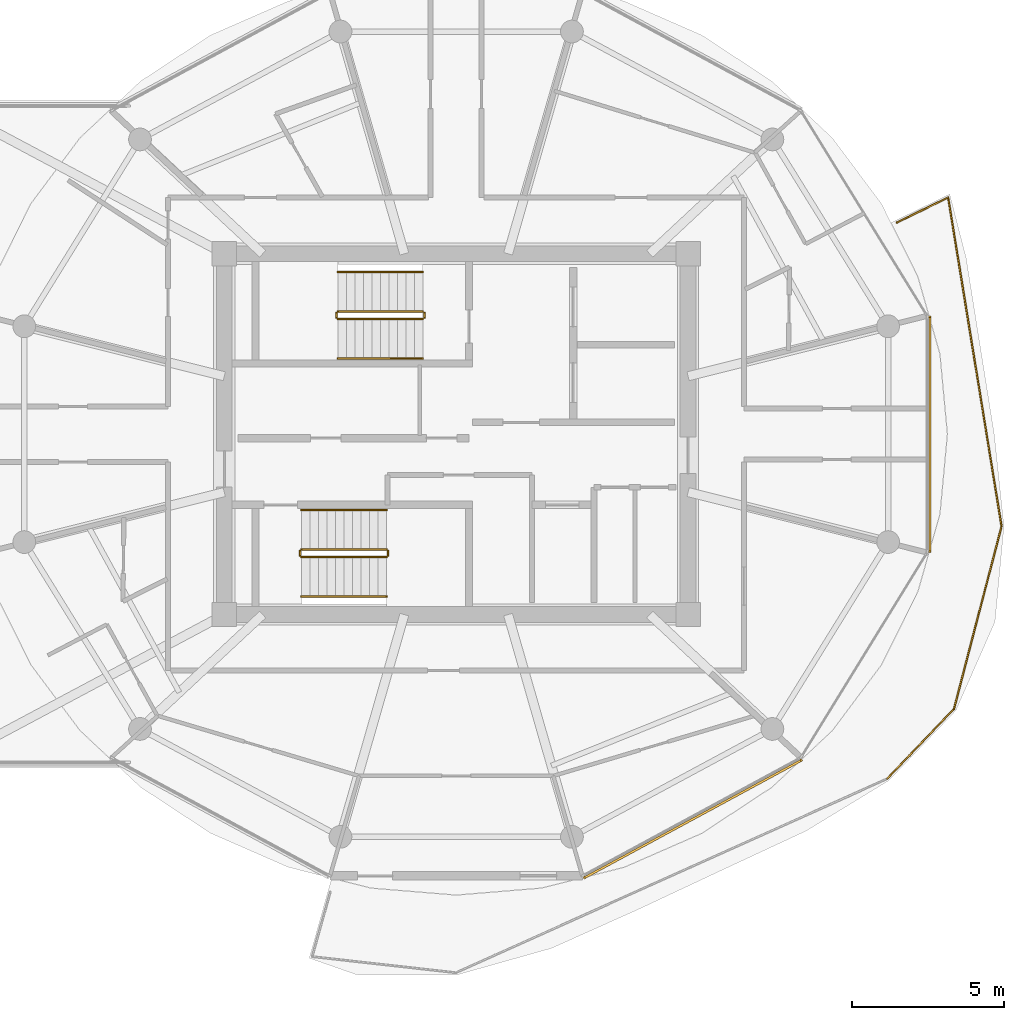
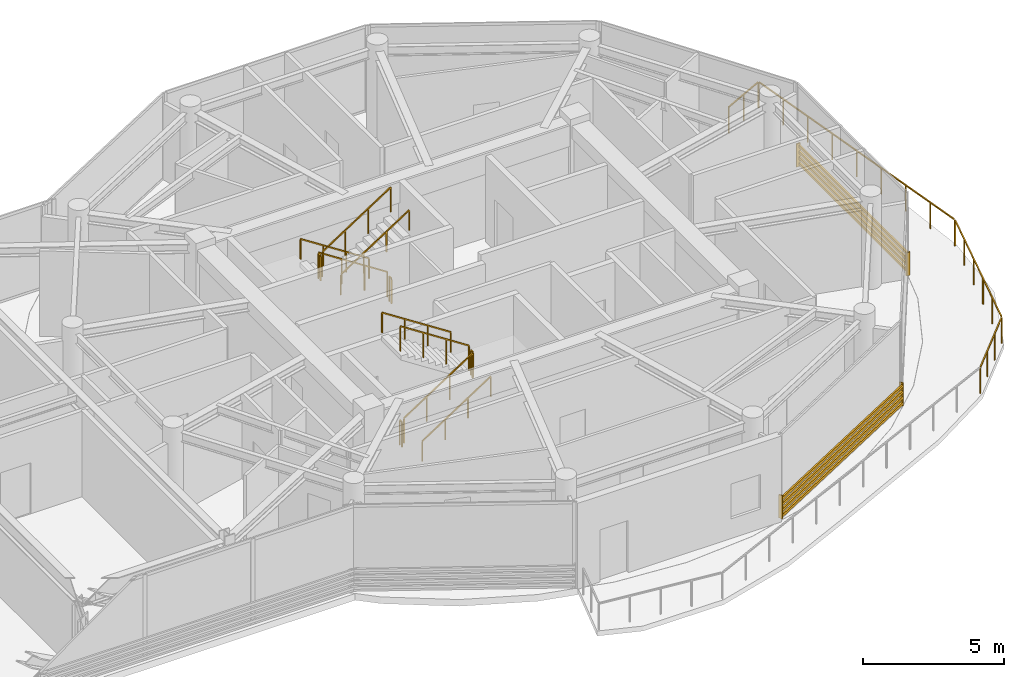
# One storey, part 23 of 24: 13 railings, 2 shading devices.
"""IFC4 building model written with IfcOpenShell, lengths in metres."""

from ifc_helpers import new_model, si_unit, direction, frame, origin, origin_2d, place, context, subcontext, project, spatial, rectangle, extrude, source, transform, mapped, material, type_object, type_shapes, element, save


model = new_model("IFC4")

# Units and contexts
model_context = context("Model", 3, precision=1e-05, world=origin(), true_north=direction((0.0, 1.0)))
body_context = subcontext(model_context, "Body", "Model", "MODEL_VIEW")
ifc_project = project(units=[si_unit("LENGTHUNIT", "METRE"), si_unit("AREAUNIT", "SQUARE_METRE"), si_unit("VOLUMEUNIT", "CUBIC_METRE"), si_unit("PLANEANGLEUNIT", "RADIAN"), si_unit("MASSUNIT", "GRAM", prefix="KILO")], contexts=[model_context])

# Site, building, storey
site_placement = place(None, origin())
site = spatial("IfcSite", under=ifc_project, at=site_placement, CompositionType="ELEMENT")
building_placement = place(site_placement, origin())
building = spatial("IfcBuilding", under=site, at=building_placement, Name="Norrkilde Senior Care Towers", CompositionType="ELEMENT")
storey_placement = place(building_placement, frame((0.0, 0.0, 203.800048828125)))
storey = spatial("IfcBuildingStorey", under=building, at=storey_placement, Name="L63", CompositionType="ELEMENT", Elevation=203.800048828125)

# Railings
ifc_material_1 = material(Name="Anodised Aluminium", Category="aluminium")
railing_type_1 = type_object("IfcRailingType", Name="Balcony Swirl Ribbon Guardrail 1150", PredefinedType="GUARDRAIL", material=ifc_material_1)
railing_1_placement = place(storey_placement, frame((42.53662109375, 6.984130859375, 0.0)))
element("IfcRailing", 1, at=railing_1_placement, inside=storey, type_object=railing_type_1, Name="L63 Perimeter Safety Guard 02", PredefinedType="GUARDRAIL", context=body_context, shape_type="SweptSolid", body=[
    extrude(rectangle(XDim=0.048095703125, YDim=0.048095703125, at=origin_2d()), frame((0.0, 0.0, 1.1259765625), z_axis=(0.899181226061, 0.437576419269, 0.0), x_axis=(-0.437576419269, 0.899181226061, 0.0)), (0.0, 0.0, 1.0), 1.8388671875),
    extrude(rectangle(XDim=0.048095703125, YDim=0.048095703125, at=origin_2d()), frame((1.69677734375, 0.7822265625, 1.1259765625), z_axis=(0.160357909667, -0.98705893482, 0.0), x_axis=(0.98705893482, 0.160357909667, 0.0)), (0.0, 0.0, 1.0), 10.904296875),
    extrude(rectangle(XDim=0.048095703125, YDim=0.048095703125, at=origin_2d()), frame((3.441650390625, -10.06103515625, 1.1259765625), z_axis=(-0.252187374255, -0.967678421929, 0.0), x_axis=(0.967678421929, -0.252187374255, 0.0)), (0.0, 0.0, 1.0), 6.14794921875),
    extrude(rectangle(XDim=0.048095703125, YDim=0.048095703125, at=origin_2d()), frame((1.8525390625, -16.079345703125, 1.1259765625), z_axis=(-0.691534064536, -0.722343849967, 0.0), x_axis=(0.722343849967, -0.691534064536, 0.0)), (0.0, 0.0, 1.0), 3.14453125),
    extrude(rectangle(XDim=0.0419921875, YDim=0.0419921875, at=origin_2d()), origin(), (0.0, 0.0, 1.0), 1.099853515625),
    extrude(rectangle(XDim=0.0419921875, YDim=0.0419921875, at=origin_2d()), frame((0.84521484375, 0.4111328125, 0.0)), (0.0, 0.0, 1.0), 1.099853515625),
    extrude(rectangle(XDim=0.0419921875, YDim=0.0419921875, at=origin_2d()), frame((1.690185546875, 0.822509765625, 0.0)), (0.0, 0.0, 1.0), 1.099853515625),
    extrude(rectangle(XDim=0.0419921875, YDim=0.0419921875, at=origin_2d()), frame((1.910400390625, -0.532958984375, 0.0)), (0.0, 0.0, 1.0), 1.099853515625),
    extrude(rectangle(XDim=0.0419921875, YDim=0.0419921875, at=origin_2d()), frame((2.130615234375, -1.888427734375, 0.0)), (0.0, 0.0, 1.0), 1.099853515625),
    extrude(rectangle(XDim=0.0419921875, YDim=0.0419921875, at=origin_2d()), frame((2.350830078125, -3.243896484375, 0.0)), (0.0, 0.0, 1.0), 1.099853515625),
    extrude(rectangle(XDim=0.0419921875, YDim=0.0419921875, at=origin_2d()), frame((2.571044921875, -4.599609375, 0.0)), (0.0, 0.0, 1.0), 1.099853515625),
    extrude(rectangle(XDim=0.0419921875, YDim=0.0419921875, at=origin_2d()), frame((2.791259765625, -5.955078125, 0.0)), (0.0, 0.0, 1.0), 1.099853515625),
    extrude(rectangle(XDim=0.0419921875, YDim=0.0419921875, at=origin_2d()), frame((3.011474609375, -7.310546875, 0.0)), (0.0, 0.0, 1.0), 1.099853515625),
    extrude(rectangle(XDim=0.0419921875, YDim=0.0419921875, at=origin_2d()), frame((3.231689453125, -8.666015625, 0.0)), (0.0, 0.0, 1.0), 1.099853515625),
    extrude(rectangle(XDim=0.0419921875, YDim=0.0419921875, at=origin_2d()), frame((3.451904296875, -10.021484375, 0.0)), (0.0, 0.0, 1.0), 1.099853515625),
    extrude(rectangle(XDim=0.0419921875, YDim=0.0419921875, at=origin_2d()), frame((3.1376953125, -11.22705078125, 0.0)), (0.0, 0.0, 1.0), 1.099853515625),
    extrude(rectangle(XDim=0.0419921875, YDim=0.0419921875, at=origin_2d()), frame((2.823486328125, -12.432861328125, 0.0)), (0.0, 0.0, 1.0), 1.099853515625),
    extrude(rectangle(XDim=0.0419921875, YDim=0.0419921875, at=origin_2d()), frame((2.50927734375, -13.638427734375, 0.0)), (0.0, 0.0, 1.0), 1.099853515625),
    extrude(rectangle(XDim=0.0419921875, YDim=0.0419921875, at=origin_2d()), frame((2.195068359375, -14.84423828125, 0.0)), (0.0, 0.0, 1.0), 1.099853515625),
    extrude(rectangle(XDim=0.0419921875, YDim=0.0419921875, at=origin_2d()), frame((1.880859375, -16.0498046875, 0.0)), (0.0, 0.0, 1.0), 1.099853515625),
    extrude(rectangle(XDim=0.0419921875, YDim=0.0419921875, at=origin_2d()), frame((1.146484375, -16.81689453125, 0.0)), (0.0, 0.0, 1.0), 1.099853515625),
    extrude(rectangle(XDim=0.0419921875, YDim=0.0419921875, at=origin_2d()), frame((0.412353515625, -17.583740234375, 0.0)), (0.0, 0.0, 1.0), 1.099853515625),
    extrude(rectangle(XDim=0.0419921875, YDim=0.0419921875, at=origin_2d()), frame((-0.322021484375, -18.350830078125, 0.0)), (0.0, 0.0, 1.0), 1.099853515625),
])
ifc_material_2 = material(Name="Stainless Steel", Category="steel")
railing_type_2 = type_object("IfcRailingType", Name="Stair and Terrace Guardrail 1100", PredefinedType="GUARDRAIL", material=ifc_material_2)
railing_2_placement = place(storey_placement, frame((26.89990234375, 4.050048828125, 0.181884765625)))
element("IfcRailing", 2, at=railing_2_placement, inside=storey, type_object=railing_type_2, Name="L63 ST-E1 stair guard 1", PredefinedType="GUARDRAIL", context=body_context, shape_type="SweptSolid", body=[
    extrude(rectangle(XDim=0.048095703125, YDim=0.048095703125, at=origin_2d()), frame((0.0, 0.0, 1.076171875), z_axis=(-0.83868413941, 0.0, 0.544618136222), x_axis=(0.0, -1.0, 0.0)), (0.0, 0.0, 1.0), 3.33837890625),
    extrude(rectangle(XDim=0.0419921875, YDim=0.0419921875, at=origin_2d()), origin(), (0.0, 0.0, 1.0), 1.050048828125),
    extrude(rectangle(XDim=0.0419921875, YDim=0.0419921875, at=origin_2d()), frame((-0.933349609375, 0.0, 0.60595703125)), (0.0, 0.0, 1.0), 1.050048828125),
    extrude(rectangle(XDim=0.0419921875, YDim=0.0419921875, at=origin_2d()), frame((-1.866455078125, 0.0, 1.212158203125)), (0.0, 0.0, 1.0), 1.050048828125),
    extrude(rectangle(XDim=0.0419921875, YDim=0.0419921875, at=origin_2d()), frame((-2.7998046875, 0.0, 1.818115234375)), (0.0, 0.0, 1.0), 1.050048828125),
])
railing_3_placement = place(storey_placement, frame((24.050048828125, 4.0, 2.0)))
element("IfcRailing", 3, at=railing_3_placement, inside=storey, type_object=railing_type_2, Name="L63 ST-E1 stair guard 2", PredefinedType="GUARDRAIL", context=body_context, shape_type="SweptSolid", body=[
    extrude(rectangle(XDim=0.048095703125, YDim=0.048095703125, at=origin_2d()), frame((0.0, 0.0, 1.076171875), z_axis=(0.0, -1.0, 0.0), x_axis=(1.0, 0.0, 0.0)), (0.0, 0.0, 1.0), 0.14990234375),
    extrude(rectangle(XDim=0.0419921875, YDim=0.0419921875, at=origin_2d()), origin(), (0.0, 0.0, 1.0), 1.050048828125),
    extrude(rectangle(XDim=0.0419921875, YDim=0.0419921875, at=origin_2d()), frame((0.0, -0.14990234375, 0.0)), (0.0, 0.0, 1.0), 1.050048828125),
])
railing_4_placement = place(storey_placement, frame((24.10009765625, 3.800048828125, 2.181884765625)))
element("IfcRailing", 4, at=railing_4_placement, inside=storey, type_object=railing_type_2, Name="L63 ST-E1 stair guard 3", PredefinedType="GUARDRAIL", context=body_context, shape_type="SweptSolid", body=[
    extrude(rectangle(XDim=0.048095703125, YDim=0.048095703125, at=origin_2d()), frame((0.0, 0.0, 1.076171875), z_axis=(0.83868413941, 0.0, 0.544618136222), x_axis=(0.0, 1.0, 0.0)), (0.0, 0.0, 1.0), 3.33837890625),
    extrude(rectangle(XDim=0.0419921875, YDim=0.0419921875, at=origin_2d()), origin(), (0.0, 0.0, 1.0), 1.050048828125),
    extrude(rectangle(XDim=0.0419921875, YDim=0.0419921875, at=origin_2d()), frame((0.933349609375, 0.0, 0.60595703125)), (0.0, 0.0, 1.0), 1.050048828125),
    extrude(rectangle(XDim=0.0419921875, YDim=0.0419921875, at=origin_2d()), frame((1.866455078125, 0.0, 1.212158203125)), (0.0, 0.0, 1.0), 1.050048828125),
    extrude(rectangle(XDim=0.0419921875, YDim=0.0419921875, at=origin_2d()), frame((2.7998046875, 0.0, 1.818115234375)), (0.0, 0.0, 1.0), 1.050048828125),
])
railing_5_placement = place(storey_placement, frame((26.949951171875, 4.0, 0.0)))
element("IfcRailing", 5, at=railing_5_placement, inside=storey, type_object=railing_type_2, Name="L63 ST-E1 stair guard 4", PredefinedType="GUARDRAIL", context=body_context, shape_type="SweptSolid", body=[
    extrude(rectangle(XDim=0.048095703125, YDim=0.048095703125, at=origin_2d()), frame((0.0, 0.0, 1.076171875), z_axis=(0.0, -1.0, 0.0), x_axis=(1.0, 0.0, 0.0)), (0.0, 0.0, 1.0), 0.14990234375),
    extrude(rectangle(XDim=0.0419921875, YDim=0.0419921875, at=origin_2d()), origin(), (0.0, 0.0, 1.0), 1.050048828125),
    extrude(rectangle(XDim=0.0419921875, YDim=0.0419921875, at=origin_2d()), frame((0.0, -0.14990234375, 0.0)), (0.0, 0.0, 1.0), 1.050048828125),
])
railing_6_placement = place(storey_placement, frame((22.89990234375, -4.050048828125, 0.181884765625)))
element("IfcRailing", 6, at=railing_6_placement, inside=storey, type_object=railing_type_2, Name="L63 ST-E2 stair guard 1", PredefinedType="GUARDRAIL", context=body_context, shape_type="SweptSolid", body=[
    extrude(rectangle(XDim=0.048095703125, YDim=0.048095703125, at=origin_2d()), frame((0.0, 0.0, 1.076171875), z_axis=(0.838705829183, 0.0, 0.544584733623), x_axis=(0.0, 1.0, 0.0)), (0.0, 0.0, 1.0), 3.338623046875),
    extrude(rectangle(XDim=0.0419921875, YDim=0.0419921875, at=origin_2d()), origin(), (0.0, 0.0, 1.0), 1.050048828125),
    extrude(rectangle(XDim=0.0419921875, YDim=0.0419921875, at=origin_2d()), frame((0.933349609375, 0.0, 0.60595703125)), (0.0, 0.0, 1.0), 1.050048828125),
    extrude(rectangle(XDim=0.0419921875, YDim=0.0419921875, at=origin_2d()), frame((1.86669921875, 0.0, 1.212158203125)), (0.0, 0.0, 1.0), 1.050048828125),
    extrude(rectangle(XDim=0.0419921875, YDim=0.0419921875, at=origin_2d()), frame((2.800048828125, 0.0, 1.818115234375)), (0.0, 0.0, 1.0), 1.050048828125),
])
railing_7_placement = place(storey_placement, frame((25.75, -4.0, 2.0)))
element("IfcRailing", 7, at=railing_7_placement, inside=storey, type_object=railing_type_2, Name="L63 ST-E2 stair guard 2", PredefinedType="GUARDRAIL", context=body_context, shape_type="SweptSolid", body=[
    extrude(rectangle(XDim=0.048095703125, YDim=0.048095703125, at=origin_2d()), frame((0.0, 0.0, 1.076171875), z_axis=(0.0, 1.0, 0.0), x_axis=(-1.0, 0.0, 0.0)), (0.0, 0.0, 1.0), 0.14990234375),
    extrude(rectangle(XDim=0.0419921875, YDim=0.0419921875, at=origin_2d()), origin(), (0.0, 0.0, 1.0), 1.050048828125),
    extrude(rectangle(XDim=0.0419921875, YDim=0.0419921875, at=origin_2d()), frame((0.0, 0.14990234375, 0.0)), (0.0, 0.0, 1.0), 1.050048828125),
])
railing_8_placement = place(storey_placement, frame((25.699951171875, -3.800048828125, 2.181884765625)))
element("IfcRailing", 8, at=railing_8_placement, inside=storey, type_object=railing_type_2, Name="L63 ST-E2 stair guard 3", PredefinedType="GUARDRAIL", context=body_context, shape_type="SweptSolid", body=[
    extrude(rectangle(XDim=0.048095703125, YDim=0.048095703125, at=origin_2d()), frame((0.0, 0.0, 1.076171875), z_axis=(-0.838705829183, 0.0, 0.544584733623), x_axis=(0.0, -1.0, 0.0)), (0.0, 0.0, 1.0), 3.338623046875),
    extrude(rectangle(XDim=0.0419921875, YDim=0.0419921875, at=origin_2d()), origin(), (0.0, 0.0, 1.0), 1.050048828125),
    extrude(rectangle(XDim=0.0419921875, YDim=0.0419921875, at=origin_2d()), frame((-0.933349609375, 0.0, 0.60595703125)), (0.0, 0.0, 1.0), 1.050048828125),
    extrude(rectangle(XDim=0.0419921875, YDim=0.0419921875, at=origin_2d()), frame((-1.86669921875, 0.0, 1.212158203125)), (0.0, 0.0, 1.0), 1.050048828125),
    extrude(rectangle(XDim=0.0419921875, YDim=0.0419921875, at=origin_2d()), frame((-2.800048828125, 0.0, 1.818115234375)), (0.0, 0.0, 1.0), 1.050048828125),
])
railing_9_placement = place(storey_placement, frame((22.85009765625, -4.0, 0.0)))
element("IfcRailing", 9, at=railing_9_placement, inside=storey, type_object=railing_type_2, Name="L63 ST-E2 stair guard 4", PredefinedType="GUARDRAIL", context=body_context, shape_type="SweptSolid", body=[
    extrude(rectangle(XDim=0.048095703125, YDim=0.048095703125, at=origin_2d()), frame((0.0, 0.0, 1.076171875), z_axis=(0.0, 1.0, 0.0), x_axis=(-1.0, 0.0, 0.0)), (0.0, 0.0, 1.0), 0.14990234375),
    extrude(rectangle(XDim=0.0419921875, YDim=0.0419921875, at=origin_2d()), origin(), (0.0, 0.0, 1.0), 1.050048828125),
    extrude(rectangle(XDim=0.0419921875, YDim=0.0419921875, at=origin_2d()), frame((0.0, 0.14990234375, 0.0)), (0.0, 0.0, 1.0), 1.050048828125),
])
ifc_material_3 = material(Name="Nordic Ash Timber", Category="wood")
railing_type_3 = type_object("IfcRailingType", Name="Wall and Stair Handrail 900", PredefinedType="HANDRAIL", material=ifc_material_3)
railing_10_placement = place(storey_placement, frame((26.89990234375, 5.35009765625, 0.181884765625)))
element("IfcRailing", 10, at=railing_10_placement, inside=storey, type_object=railing_type_3, Name="L63 ST-E1 stair handrail 1", PredefinedType="HANDRAIL", context=body_context, shape_type="SweptSolid", body=[
    extrude(rectangle(XDim=0.048095703125, YDim=0.048095703125, at=origin_2d()), frame((0.0, 0.0, 0.8759765625), z_axis=(-0.83868413941, 0.0, 0.544618136222), x_axis=(0.0, -1.0, 0.0)), (0.0, 0.0, 1.0), 3.33837890625),
    extrude(rectangle(XDim=0.0419921875, YDim=0.0419921875, at=origin_2d()), origin(), (0.0, 0.0, 1.0), 0.849853515625),
    extrude(rectangle(XDim=0.0419921875, YDim=0.0419921875, at=origin_2d()), frame((-0.933349609375, 0.0, 0.60595703125)), (0.0, 0.0, 1.0), 0.849853515625),
    extrude(rectangle(XDim=0.0419921875, YDim=0.0419921875, at=origin_2d()), frame((-1.866455078125, 0.0, 1.212158203125)), (0.0, 0.0, 1.0), 0.849853515625),
    extrude(rectangle(XDim=0.0419921875, YDim=0.0419921875, at=origin_2d()), frame((-2.7998046875, 0.0, 1.818115234375)), (0.0, 0.0, 1.0), 0.849853515625),
])
railing_11_placement = place(storey_placement, frame((24.10009765625, 2.5, 2.181884765625)))
element("IfcRailing", 11, at=railing_11_placement, inside=storey, type_object=railing_type_3, Name="L63 ST-E1 stair handrail 2", PredefinedType="HANDRAIL", context=body_context, shape_type="SweptSolid", body=[
    extrude(rectangle(XDim=0.048095703125, YDim=0.048095703125, at=origin_2d()), frame((0.0, 0.0, 0.8759765625), z_axis=(0.83868413941, 0.0, 0.544618136222), x_axis=(0.0, 1.0, 0.0)), (0.0, 0.0, 1.0), 3.33837890625),
    extrude(rectangle(XDim=0.0419921875, YDim=0.0419921875, at=origin_2d()), origin(), (0.0, 0.0, 1.0), 0.849853515625),
    extrude(rectangle(XDim=0.0419921875, YDim=0.0419921875, at=origin_2d()), frame((0.933349609375, 0.0, 0.60595703125)), (0.0, 0.0, 1.0), 0.849853515625),
    extrude(rectangle(XDim=0.0419921875, YDim=0.0419921875, at=origin_2d()), frame((1.866455078125, 0.0, 1.212158203125)), (0.0, 0.0, 1.0), 0.849853515625),
    extrude(rectangle(XDim=0.0419921875, YDim=0.0419921875, at=origin_2d()), frame((2.7998046875, 0.0, 1.818115234375)), (0.0, 0.0, 1.0), 0.849853515625),
])
railing_12_placement = place(storey_placement, frame((22.89990234375, -5.35009765625, 0.181884765625)))
element("IfcRailing", 12, at=railing_12_placement, inside=storey, type_object=railing_type_3, Name="L63 ST-E2 stair handrail 1", PredefinedType="HANDRAIL", context=body_context, shape_type="SweptSolid", body=[
    extrude(rectangle(XDim=0.048095703125, YDim=0.048095703125, at=origin_2d()), frame((0.0, 0.0, 0.8759765625), z_axis=(0.838705829183, 0.0, 0.544584733623), x_axis=(0.0, 1.0, 0.0)), (0.0, 0.0, 1.0), 3.338623046875),
    extrude(rectangle(XDim=0.0419921875, YDim=0.0419921875, at=origin_2d()), origin(), (0.0, 0.0, 1.0), 0.849853515625),
    extrude(rectangle(XDim=0.0419921875, YDim=0.0419921875, at=origin_2d()), frame((0.933349609375, 0.0, 0.60595703125)), (0.0, 0.0, 1.0), 0.849853515625),
    extrude(rectangle(XDim=0.0419921875, YDim=0.0419921875, at=origin_2d()), frame((1.86669921875, 0.0, 1.212158203125)), (0.0, 0.0, 1.0), 0.849853515625),
    extrude(rectangle(XDim=0.0419921875, YDim=0.0419921875, at=origin_2d()), frame((2.800048828125, 0.0, 1.818115234375)), (0.0, 0.0, 1.0), 0.849853515625),
])
railing_13_placement = place(storey_placement, frame((25.699951171875, -2.5, 2.181884765625)))
element("IfcRailing", 13, at=railing_13_placement, inside=storey, type_object=railing_type_3, Name="L63 ST-E2 stair handrail 2", PredefinedType="HANDRAIL", context=body_context, shape_type="SweptSolid", body=[
    extrude(rectangle(XDim=0.048095703125, YDim=0.048095703125, at=origin_2d()), frame((0.0, 0.0, 0.8759765625), z_axis=(-0.838705829183, 0.0, 0.544584733623), x_axis=(0.0, -1.0, 0.0)), (0.0, 0.0, 1.0), 3.338623046875),
    extrude(rectangle(XDim=0.0419921875, YDim=0.0419921875, at=origin_2d()), origin(), (0.0, 0.0, 1.0), 0.849853515625),
    extrude(rectangle(XDim=0.0419921875, YDim=0.0419921875, at=origin_2d()), frame((-0.933349609375, 0.0, 0.60595703125)), (0.0, 0.0, 1.0), 0.849853515625),
    extrude(rectangle(XDim=0.0419921875, YDim=0.0419921875, at=origin_2d()), frame((-1.86669921875, 0.0, 1.212158203125)), (0.0, 0.0, 1.0), 0.849853515625),
    extrude(rectangle(XDim=0.0419921875, YDim=0.0419921875, at=origin_2d()), frame((-2.800048828125, 0.0, 1.818115234375)), (0.0, 0.0, 1.0), 0.849853515625),
])

# Shading devices
ifc_material_4 = material(Name="Architectural Terracotta", Category="masonry")
shading_device_type = type_object("IfcShadingDeviceType", Name="Horizontal Terracotta Baguette Rack", PredefinedType="USERDEFINED", material=ifc_material_4)
shared_shape_1 = source(origin(), body_context, "Body", "SweptSolid", [
    extrude(rectangle(XDim=0.070068359375, YDim=0.110107421875, at=origin_2d()), frame((0.0, 0.090087890625, 0.125), z_axis=(1.0, 0.0, 0.0), x_axis=(0.0, 1.0, 0.0)), (0.0, 0.0, 1.0), 8.197265625),
    extrude(rectangle(XDim=0.070068359375, YDim=0.110107421875, at=origin_2d()), frame((0.0, 0.090087890625, 0.375), z_axis=(1.0, 0.0, 0.0), x_axis=(0.0, 1.0, 0.0)), (0.0, 0.0, 1.0), 8.197265625),
    extrude(rectangle(XDim=0.070068359375, YDim=0.110107421875, at=origin_2d()), frame((0.0, 0.090087890625, 0.625), z_axis=(1.0, 0.0, 0.0), x_axis=(0.0, 1.0, 0.0)), (0.0, 0.0, 1.0), 8.197265625),
    extrude(rectangle(XDim=0.070068359375, YDim=0.110107421875, at=origin_2d()), frame((0.0, 0.090087890625, 0.875), z_axis=(1.0, 0.0, 0.0), x_axis=(0.0, 1.0, 0.0)), (0.0, 0.0, 1.0), 8.197265625),
    extrude(rectangle(XDim=0.050048828125, YDim=0.1552734375, at=origin_2d()), frame((0.02490234375, 0.047607421875, 0.0)), (0.0, 0.0, 1.0), 1.0),
    extrude(rectangle(XDim=0.050048828125, YDim=0.1552734375, at=origin_2d()), frame((8.17236328125, 0.047607421875, 0.0)), (0.0, 0.0, 1.0), 1.0),
])
shading_device_1_placement = place(storey_placement, frame((39.370361328125, -10.6630859375, 0.079833984375), z_axis=(0.0, 0.0, 1.0), x_axis=(-0.879378127234, -0.476143674053, 0.0)))
element("IfcShadingDevice", 14, at=shading_device_1_placement, inside=storey, type_object=shading_device_type, Name="L63 Drum E Terracotta Baguette Screen 09", ObjectType="BAGUETTE", PredefinedType="USERDEFINED", context=body_context, shape_type="MappedRepresentation", body=[
    mapped(shared_shape_1, transform((0.0, 0.0, 0.0), x_axis=(1.0, 0.0, 0.0), y_axis=(0.0, 1.0, 0.0), z_axis=(0.0, 0.0, 1.0), scale=1.0)),
])
shared_shape_2 = source(origin(), body_context, "Body", "SweptSolid", [
    extrude(rectangle(XDim=0.070068359375, YDim=0.110107421875, at=origin_2d()), frame((0.0, 0.090087890625, 0.125), z_axis=(1.0, 0.0, 0.0), x_axis=(0.0, 1.0, 0.0)), (0.0, 0.0, 1.0), 7.80615234375),
    extrude(rectangle(XDim=0.070068359375, YDim=0.110107421875, at=origin_2d()), frame((0.0, 0.090087890625, 0.375), z_axis=(1.0, 0.0, 0.0), x_axis=(0.0, 1.0, 0.0)), (0.0, 0.0, 1.0), 7.80615234375),
    extrude(rectangle(XDim=0.070068359375, YDim=0.110107421875, at=origin_2d()), frame((0.0, 0.090087890625, 0.625), z_axis=(1.0, 0.0, 0.0), x_axis=(0.0, 1.0, 0.0)), (0.0, 0.0, 1.0), 7.80615234375),
    extrude(rectangle(XDim=0.070068359375, YDim=0.110107421875, at=origin_2d()), frame((0.0, 0.090087890625, 0.875), z_axis=(1.0, 0.0, 0.0), x_axis=(0.0, 1.0, 0.0)), (0.0, 0.0, 1.0), 7.80615234375),
    extrude(rectangle(XDim=0.050048828125, YDim=0.1552734375, at=origin_2d()), frame((0.02490234375, 0.047607421875, 0.0)), (0.0, 0.0, 1.0), 1.0),
    extrude(rectangle(XDim=0.050048828125, YDim=0.1552734375, at=origin_2d()), frame((7.78125, 0.047607421875, 0.0)), (0.0, 0.0, 1.0), 1.0),
])
type_shapes(shading_device_type, [shared_shape_1, shared_shape_2])
shading_device_2_placement = place(storey_placement, frame((43.531982421875, 3.903076171875, 0.079833984375), z_axis=(0.0, 0.0, 1.0), x_axis=(0.0, -1.0, 0.0)))
element("IfcShadingDevice", 15, at=shading_device_2_placement, inside=storey, type_object=shading_device_type, Name="L63 Drum E Terracotta Baguette Screen 11", ObjectType="BAGUETTE", PredefinedType="USERDEFINED", context=body_context, shape_type="MappedRepresentation", body=[
    mapped(shared_shape_2, transform((0.0, 0.0, 0.0), x_axis=(1.0, 0.0, 0.0), y_axis=(0.0, 1.0, 0.0), z_axis=(0.0, 0.0, 1.0), scale=1.0)),
])

save(model, "model.ifc")
